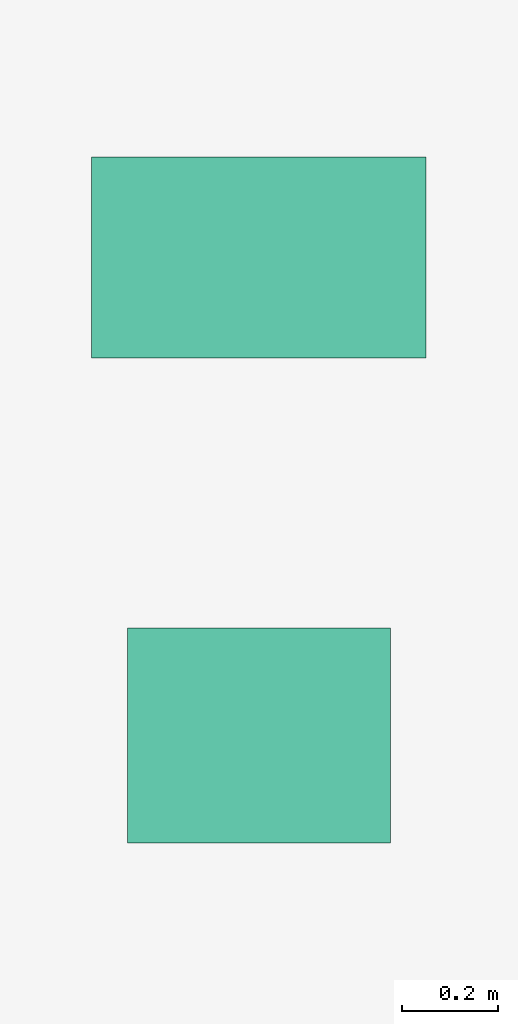
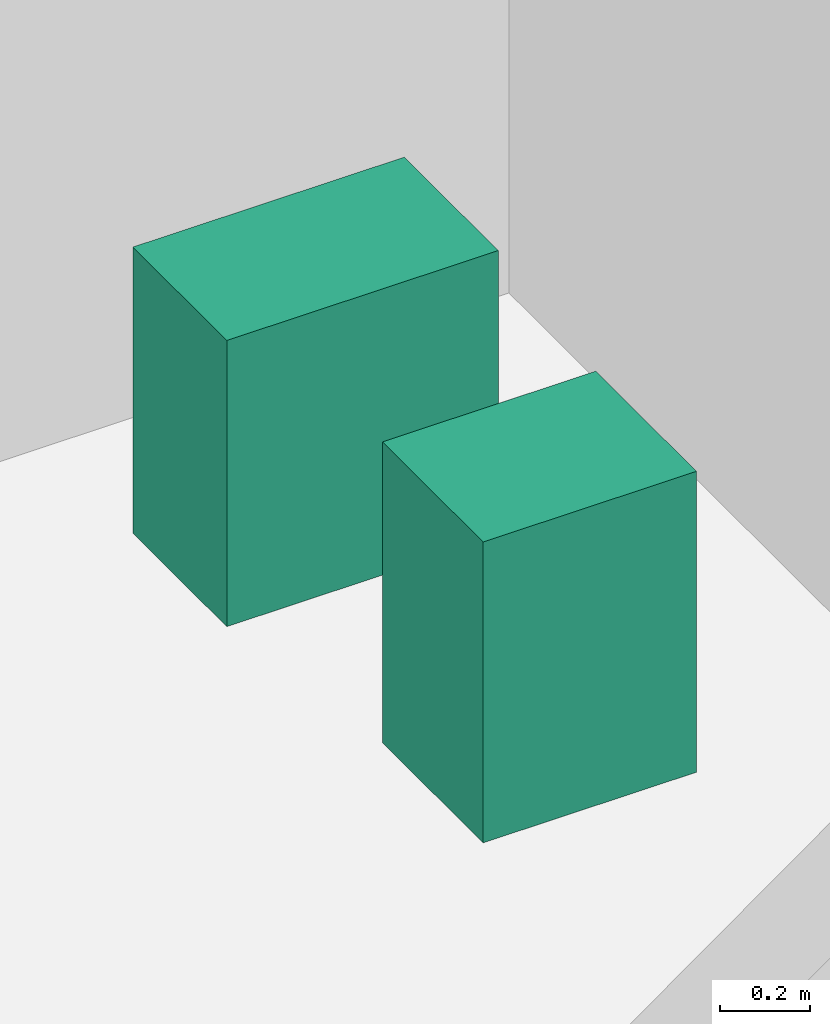
# One storey, part 33 of 33: 2 sanitary terminals.
"""IFC4 building model written with IfcOpenShell, lengths in metres."""

from ifc_helpers import new_model, si_unit, direction, frame, origin, origin_2d, place, context, subcontext, project, spatial, rectangle, extrude, source, transform, mapped, material, type_object, element, save


model = new_model("IFC4")

# Units and contexts
model_context = context("Model", 3, precision=1e-05, world=origin(), true_north=direction((0.0, 1.0)))
body_context = subcontext(model_context, "Body", "Model", "MODEL_VIEW")
ifc_project = project(units=[si_unit("LENGTHUNIT", "METRE"), si_unit("AREAUNIT", "SQUARE_METRE"), si_unit("VOLUMEUNIT", "CUBIC_METRE"), si_unit("PLANEANGLEUNIT", "RADIAN"), si_unit("MASSUNIT", "GRAM", prefix="KILO")], contexts=[model_context])

# Site, building, storey
site_placement = place(None, origin())
site = spatial("IfcSite", under=ifc_project, at=site_placement, CompositionType="ELEMENT")
building_placement = place(site_placement, origin())
building = spatial("IfcBuilding", under=site, at=building_placement, Name="Sumidabori Civic Tower", CompositionType="ELEMENT")
storey_placement = place(building_placement, frame((0.0, 0.0, 59.60009765625)))
storey = spatial("IfcBuildingStorey", under=building, at=storey_placement, Name="L15", CompositionType="ELEMENT", Elevation=59.60009765625)

# Sanitary terminals
ifc_material = material(Name="Vitreous Sanitary Porcelain")
sanitary_terminal_type_1 = type_object("IfcSanitaryTerminalType", Name="SN-WC-1", PredefinedType="TOILETPAN", material=ifc_material)
shared_shape_1 = source(origin(), body_context, "Body", "SweptSolid", [
    extrude(rectangle(XDim=0.699951171875, YDim=0.419921875, at=origin_2d()), origin(), (0.0, 0.0, 1.0), 0.780029296875),
])
sanitary_terminal_1_placement = place(storey_placement, frame((10.800048828125, 21.85009765625, 0.0), z_axis=(0.0, 0.0, 1.0), x_axis=(1.0, 0.0, 0.0)))
element("IfcSanitaryTerminal", 1, at=sanitary_terminal_1_placement, inside=storey, type_object=sanitary_terminal_type_1, Name="Accessible WC Pan L15", PredefinedType="TOILETPAN", context=body_context, shape_type="MappedRepresentation", body=[
    mapped(shared_shape_1, transform((0.0, 0.0, 0.0), x_axis=(1.0, 0.0, 0.0), y_axis=(0.0, 1.0, 0.0), z_axis=(0.0, 0.0, 1.0), scale=1.0)),
])
sanitary_terminal_type_2 = type_object("IfcSanitaryTerminalType", Name="SN-BAS-1", PredefinedType="WASHHANDBASIN", material=ifc_material)
shared_shape_2 = source(origin(), body_context, "Body", "SweptSolid", [
    extrude(rectangle(XDim=0.550048828125, YDim=0.449951171875, at=origin_2d()), origin(), (0.0, 0.0, 1.0), 0.820068359375),
])
sanitary_terminal_2_placement = place(storey_placement, frame((10.800048828125, 20.85009765625, 0.0), z_axis=(0.0, 0.0, 1.0), x_axis=(1.0, 0.0, 0.0)))
element("IfcSanitaryTerminal", 2, at=sanitary_terminal_2_placement, inside=storey, type_object=sanitary_terminal_type_2, Name="Accessible Basin L15", PredefinedType="WASHHANDBASIN", context=body_context, shape_type="MappedRepresentation", body=[
    mapped(shared_shape_2, transform((0.0, 0.0, 0.0), x_axis=(1.0, 0.0, 0.0), y_axis=(0.0, 1.0, 0.0), z_axis=(0.0, 0.0, 1.0), scale=1.0)),
])

save(model, "model.ifc")
